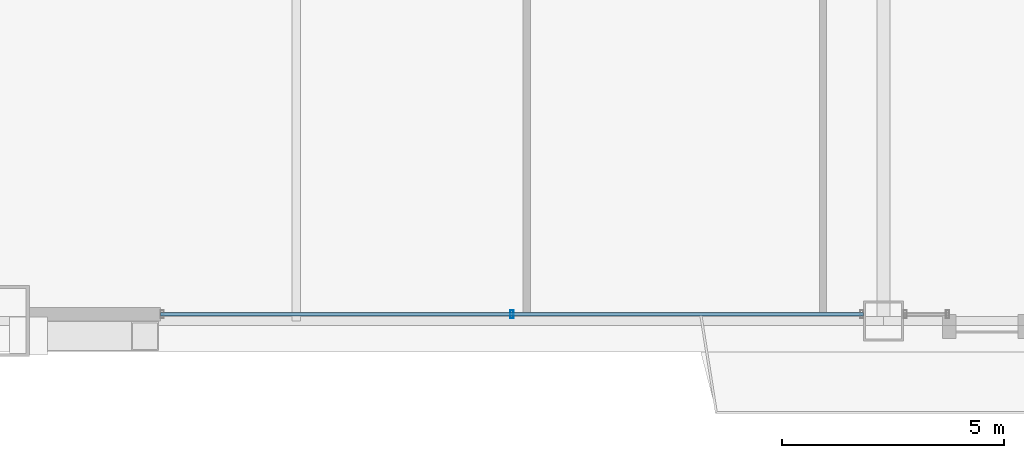
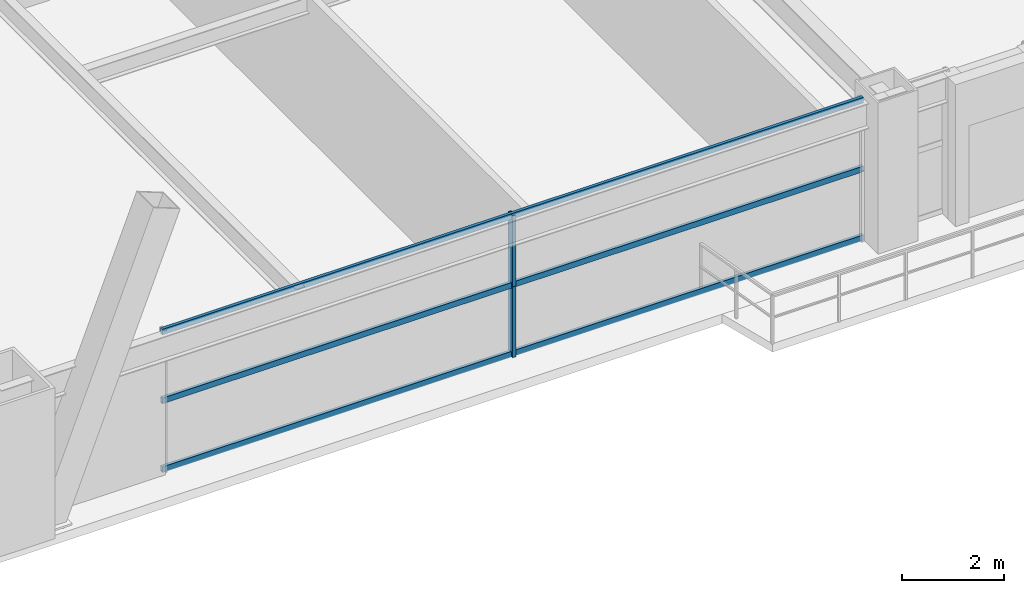
# One storey, part 5 of 41: 5 members, 1 element without a shape of its own.
"""IFC4 building model written with IfcOpenShell, lengths in metres."""

from ifc_helpers import new_model, si_unit, direction, frame, origin, origin_2d, place, context, subcontext, project, spatial, hollow_rectangle, extrude, source, transform, mapped, material, layer, layer_set, material_profile, profile_set, type_object, element, aggregate, save


model = new_model("IFC4")

# Units and contexts
model_context = context("Model", 3, precision=1e-05, world=origin(), true_north=direction((0.0, 1.0)))
body_context = subcontext(model_context, "Body", "Model", "MODEL_VIEW")
ifc_project = project(units=[si_unit("LENGTHUNIT", "METRE"), si_unit("AREAUNIT", "SQUARE_METRE"), si_unit("VOLUMEUNIT", "CUBIC_METRE"), si_unit("PLANEANGLEUNIT", "RADIAN"), si_unit("MASSUNIT", "GRAM", prefix="KILO"), si_unit("THERMODYNAMICTEMPERATUREUNIT", "KELVIN"), si_unit("POWERUNIT", "WATT")], contexts=[model_context])

# Site, building, storey
site_placement = place(None, origin())
site = spatial("IfcSite", under=ifc_project, at=site_placement, CompositionType="ELEMENT")
building_placement = place(site_placement, origin())
building = spatial("IfcBuilding", under=site, at=building_placement, Name="Yuzanri Waterfront Tower", CompositionType="ELEMENT")
storey_placement = place(building_placement, frame((0.0, 0.0, 122.60009765625)))
storey = spatial("IfcBuildingStorey", under=building, at=storey_placement, Name="L32", CompositionType="ELEMENT", Elevation=122.60009765625)

# Curtain wall, members
ifc_material_1 = material(Name="Anodized Architectural Bronze", Category="metal")
ifc_layer = layer(ifc_material_1, 0.159912109375)
ifc_layer_set = layer_set([ifc_layer], Name="Anodized Architectural Bronze")
curtain_wall_type = type_object("IfcCurtainWallType", Name="Anodized Bronze Hotel Upper-Tier Solar-Control Unitized Curtain Wall 7800", PredefinedType="NOTDEFINED", material=ifc_layer_set)
curtain_wall_placement = place(storey_placement, origin())
curtain_wall = element("IfcCurtainWall", 1, at=curtain_wall_placement, inside=storey, type_object=curtain_wall_type, Name="L32 Curtain Wall CW-L32-SL", PredefinedType="NOTDEFINED")
ifc_material_2 = material(Name="Anodized Architectural Bronze", Category="metal")
ifc_material_profile_1 = material_profile(ifc_material_2, hollow_rectangle(XDim=0.070068359375, YDim=0.179931640625, WallThickness=0.00390625, at=origin_2d()), Name="CWM 70x180")
ifc_profile_set_1 = profile_set([ifc_material_profile_1], Name="Anodized Architectural Bronze")
member_type_1 = type_object("IfcMemberType", Name="Anodized Bronze Standard Curtain-Wall Mullion 70x180", PredefinedType="MULLION", material=ifc_profile_set_1)
shared_shape_1 = source(origin(), body_context, "Body", "SweptSolid", [
    extrude(hollow_rectangle(XDim=0.070068359375, YDim=0.179931640625, WallThickness=0.00390625, at=origin_2d()), origin(), (0.0, 0.0, 1.0), 1.68798828125),
])
member_1_placement = place(storey_placement, frame((28.64990234375, 2.35009765625, 0.0), z_axis=(0.0, 0.0, 1.0), x_axis=(1.0, 0.0, 0.0)))
member_1 = element("IfcMember", 2, at=member_1_placement, type_object=member_type_1, Name="CW-L32-SL Lower Mullion 01", PredefinedType="MULLION", context=body_context, shape_type="MappedRepresentation", body=[
    mapped(shared_shape_1, transform((0.0, 0.0, 0.0), scale=1.0)),
])
member_2_placement = place(storey_placement, frame((28.64990234375, 2.35009765625, 1.69189453125), z_axis=(0.0, 0.0, 1.0), x_axis=(1.0, 0.0, 0.0)))
member_2 = element("IfcMember", 3, at=member_2_placement, type_object=member_type_1, Name="CW-L32-SL Upper Mullion 01", PredefinedType="MULLION", context=body_context, shape_type="MappedRepresentation", body=[
    mapped(shared_shape_1, transform((0.0, 0.0, 0.0), scale=1.0)),
])
ifc_material_3 = material(Name="Anodized Architectural Bronze", Category="metal")
ifc_material_profile_2 = material_profile(ifc_material_3, hollow_rectangle(XDim=0.070068359375, YDim=0.135009765625, WallThickness=0.00341796875, at=origin_2d()), Name="CWT 70x135")
ifc_profile_set_2 = profile_set([ifc_material_profile_2], Name="Anodized Architectural Bronze")
member_type_2 = type_object("IfcMemberType", Name="Anodized Bronze Standard Curtain-Wall Transom 70x135", PredefinedType="USERDEFINED", material=ifc_profile_set_2)
shared_shape_2 = source(origin(), body_context, "Body", "SweptSolid", [
    extrude(hollow_rectangle(XDim=0.070068359375, YDim=0.135009765625, WallThickness=0.00341796875, at=origin_2d()), origin(), (0.0, 0.0, 1.0), 15.800048828125),
])
member_3_placement = place(storey_placement, frame((20.75, 2.35009765625, 0.0498046875), z_axis=(1.0, 0.0, 0.0), x_axis=(0.0, 1.0, 0.0)))
member_3 = element("IfcMember", 4, at=member_3_placement, type_object=member_type_2, Name="CW-L32-SL Transom 1", ObjectType="TRANSOM", PredefinedType="USERDEFINED", context=body_context, shape_type="MappedRepresentation", body=[
    mapped(shared_shape_2, transform((0.0, 0.0, 0.0), scale=1.0)),
])
member_4_placement = place(storey_placement, frame((20.75, 2.35009765625, 1.68994140625), z_axis=(1.0, 0.0, 0.0), x_axis=(0.0, 1.0, 0.0)))
member_4 = element("IfcMember", 5, at=member_4_placement, type_object=member_type_2, Name="CW-L32-SL Transom 2", ObjectType="TRANSOM", PredefinedType="USERDEFINED", context=body_context, shape_type="MappedRepresentation", body=[
    mapped(shared_shape_2, transform((0.0, 0.0, 0.0), scale=1.0)),
])
member_5_placement = place(storey_placement, frame((20.75, 2.35009765625, 3.329833984375), z_axis=(1.0, 0.0, 0.0), x_axis=(0.0, 1.0, 0.0)))
member_5 = element("IfcMember", 6, at=member_5_placement, type_object=member_type_2, Name="CW-L32-SL Transom 3", ObjectType="TRANSOM", PredefinedType="USERDEFINED", context=body_context, shape_type="MappedRepresentation", body=[
    mapped(shared_shape_2, transform((0.0, 0.0, 0.0), scale=1.0)),
])
aggregate(curtain_wall, [member_1, member_2, member_3, member_4, member_5])

save(model, "model.ifc")
